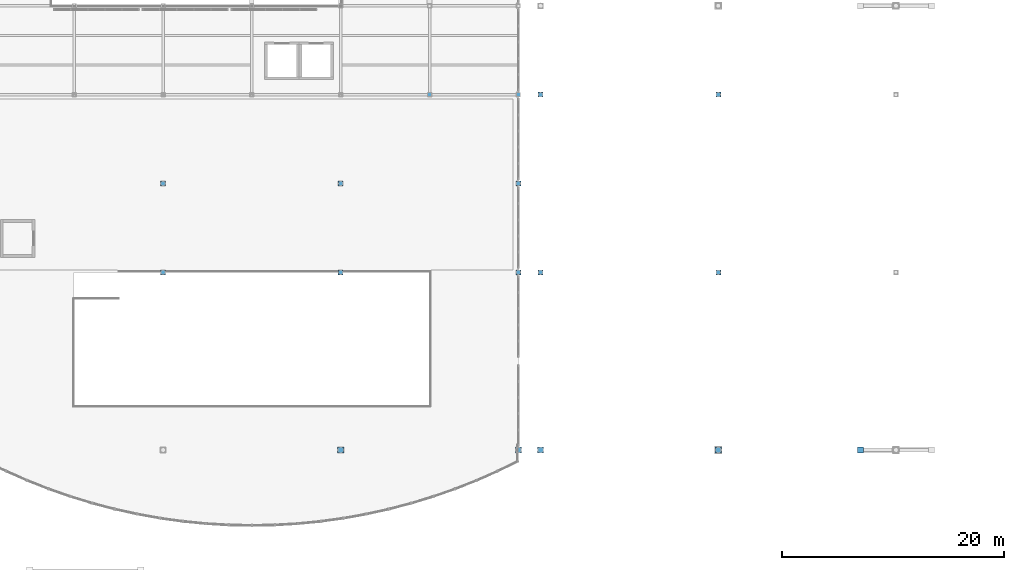
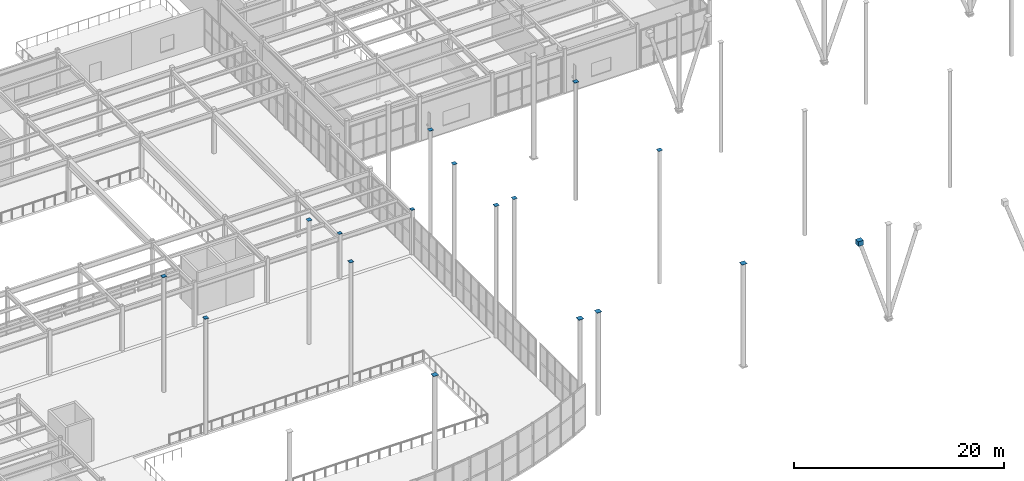
# One storey, part 63 of 77: 17 discrete accessories.
"""IFC4 building model written with IfcOpenShell, lengths in metres."""

from ifc_helpers import new_model, si_unit, direction, frame, origin, origin_2d, place, context, subcontext, project, spatial, rectangle, extrude, material, type_object, element, save


model = new_model("IFC4")

# Units and contexts
model_context = context("Model", 3, precision=1e-05, world=origin(), true_north=direction((0.0, 1.0)))
body_context = subcontext(model_context, "Body", "Model", "MODEL_VIEW")
ifc_project = project(units=[si_unit("LENGTHUNIT", "METRE"), si_unit("AREAUNIT", "SQUARE_METRE"), si_unit("VOLUMEUNIT", "CUBIC_METRE"), si_unit("PLANEANGLEUNIT", "RADIAN"), si_unit("MASSUNIT", "GRAM", prefix="KILO")], contexts=[model_context])

# Site, building, storey
site_placement = place(None, origin())
site = spatial("IfcSite", under=ifc_project, at=site_placement, CompositionType="ELEMENT")
building_placement = place(site_placement, origin())
building = spatial("IfcBuilding", under=site, at=building_placement, Name="Drelvath Fold Interchange", CompositionType="ELEMENT")
storey_placement = place(building_placement, frame((0.0, 0.0, 6.0)))
storey = spatial("IfcBuildingStorey", under=building, at=storey_placement, Name="L01", CompositionType="ELEMENT", Elevation=6.0)

# Discrete accessories
ifc_material = material(Name="Steel ASTM A572 Grade 50", Category="steel")
discrete_accessory_type = type_object("IfcDiscreteAccessoryType", Name="AC-CAP380", PredefinedType="BRACKET", material=ifc_material)
for number, where, z_axis, x_axis, name in (
    (1, (68.0, 43.0, 13.44189453125), (0.0, 0.0, 1.0), (1.0, 0.0, 0.0), "Welded hollow column end cap 18"),
    (2, (68.0, 51.0, 13.44189453125), (0.0, 0.0, 1.0), (1.0, 0.0, 0.0), "Welded hollow column end cap 19"),
):
    element("IfcDiscreteAccessory", number, at=place(storey_placement, frame(where, z_axis=z_axis, x_axis=x_axis)), inside=storey, type_object=discrete_accessory_type, Name=name, PredefinedType="BRACKET", context=body_context, shape_type="SweptSolid", body=[
        extrude(rectangle(XDim=0.446044921875, YDim=0.446044921875, at=origin_2d()), origin(), (0.0, 0.0, 1.0), 0.030029296875),
    ])
discrete_accessory_1_placement = place(storey_placement, frame((84.0, 27.0, 10.916015625), z_axis=(0.0, 0.0, 1.0), x_axis=(1.0, 0.0, 0.0)))
element("IfcDiscreteAccessory", 3, at=discrete_accessory_1_placement, inside=storey, type_object=discrete_accessory_type, Name="Welded hollow column end cap 20", PredefinedType="BRACKET", context=body_context, shape_type="SweptSolid", body=[
    extrude(rectangle(XDim=0.548095703125, YDim=0.548095703125, at=origin_2d()), origin(), (0.0, 0.0, 1.0), 0.030029296875),
])
for number, where, z_axis, x_axis, name in (
    (4, (84.0, 43.0, 14.40380859375), (0.0, 0.0, 1.0), (1.0, 0.0, 0.0), "Welded hollow column end cap 21"),
    (5, (84.0, 51.0, 14.40380859375), (0.0, 0.0, 1.0), (1.0, 0.0, 0.0), "Welded hollow column end cap 22"),
):
    element("IfcDiscreteAccessory", number, at=place(storey_placement, frame(where, z_axis=z_axis, x_axis=x_axis)), inside=storey, type_object=discrete_accessory_type, Name=name, PredefinedType="BRACKET", context=body_context, shape_type="SweptSolid", body=[
        extrude(rectangle(XDim=0.446044921875, YDim=0.446044921875, at=origin_2d()), origin(), (0.0, 0.0, 1.0), 0.030029296875),
    ])
discrete_accessory_2_placement = place(storey_placement, frame((92.0, 59.0, 5.18994140625), z_axis=(0.0, 0.0, 1.0), x_axis=(1.0, 0.0, 0.0)))
element("IfcDiscreteAccessory", 6, at=discrete_accessory_2_placement, inside=storey, type_object=discrete_accessory_type, Name="Welded hollow column end cap 23", PredefinedType="BRACKET", context=body_context, shape_type="SweptSolid", body=[
    extrude(rectangle(XDim=0.39599609375, YDim=0.39599609375, at=origin_2d()), origin(), (0.0, 0.0, 1.0), 0.030029296875),
])
discrete_accessory_3_placement = place(storey_placement, frame((100.0, 27.0, 11.87890625), z_axis=(0.0, 0.0, 1.0), x_axis=(1.0, 0.0, 0.0)))
element("IfcDiscreteAccessory", 7, at=discrete_accessory_3_placement, inside=storey, type_object=discrete_accessory_type, Name="Welded hollow column end cap 27", PredefinedType="BRACKET", context=body_context, shape_type="SweptSolid", body=[
    extrude(rectangle(XDim=0.548095703125, YDim=0.548095703125, at=origin_2d()), origin(), (0.0, 0.0, 1.0), 0.030029296875),
])
for number, where, z_axis, x_axis, name in (
    (8, (100.0, 43.0, 15.3671875), (0.0, 0.0, 1.0), (1.0, 0.0, 0.0), "Welded hollow column end cap 28"),
    (9, (100.0, 51.0, 15.3671875), (0.0, 0.0, 1.0), (1.0, 0.0, 0.0), "Welded hollow column end cap 29"),
):
    element("IfcDiscreteAccessory", number, at=place(storey_placement, frame(where, z_axis=z_axis, x_axis=x_axis)), inside=storey, type_object=discrete_accessory_type, Name=name, PredefinedType="BRACKET", context=body_context, shape_type="SweptSolid", body=[
        extrude(rectangle(XDim=0.446044921875, YDim=0.446044921875, at=origin_2d()), origin(), (0.0, 0.0, 1.0), 0.030029296875),
    ])
discrete_accessory_4_placement = place(storey_placement, frame((100.0, 59.0, 5.18994140625), z_axis=(0.0, 0.0, 1.0), x_axis=(1.0, 0.0, 0.0)))
element("IfcDiscreteAccessory", 10, at=discrete_accessory_4_placement, inside=storey, type_object=discrete_accessory_type, Name="Welded hollow column end cap 30", PredefinedType="BRACKET", context=body_context, shape_type="SweptSolid", body=[
    extrude(rectangle(XDim=0.39599609375, YDim=0.39599609375, at=origin_2d()), origin(), (0.0, 0.0, 1.0), 0.030029296875),
])
discrete_accessory_5_placement = place(storey_placement, frame((102.0, 27.0, 11.9990234375), z_axis=(0.0, 0.0, 1.0), x_axis=(1.0, 0.0, 0.0)))
element("IfcDiscreteAccessory", 11, at=discrete_accessory_5_placement, inside=storey, type_object=discrete_accessory_type, Name="Welded hollow column end cap 92", PredefinedType="BRACKET", context=body_context, shape_type="SweptSolid", body=[
    extrude(rectangle(XDim=0.548095703125, YDim=0.548095703125, at=origin_2d()), origin(), (0.0, 0.0, 1.0), 0.030029296875),
])
for number, where, z_axis, x_axis, name in (
    (12, (102.0, 43.0, 15.48681640625), (0.0, 0.0, 1.0), (1.0, 0.0, 0.0), "Welded hollow column end cap 93"),
    (13, (102.0, 59.0, 13.7431640625), (0.0, 0.0, 1.0), (1.0, 0.0, 0.0), "Welded hollow column end cap 94"),
):
    element("IfcDiscreteAccessory", number, at=place(storey_placement, frame(where, z_axis=z_axis, x_axis=x_axis)), inside=storey, type_object=discrete_accessory_type, Name=name, PredefinedType="BRACKET", context=body_context, shape_type="SweptSolid", body=[
        extrude(rectangle(XDim=0.446044921875, YDim=0.446044921875, at=origin_2d()), origin(), (0.0, 0.0, 1.0), 0.030029296875),
    ])
discrete_accessory_6_placement = place(storey_placement, frame((118.0, 27.0, 11.9990234375), z_axis=(0.0, 0.0, 1.0), x_axis=(1.0, 0.0, 0.0)))
element("IfcDiscreteAccessory", 14, at=discrete_accessory_6_placement, inside=storey, type_object=discrete_accessory_type, Name="Welded hollow column end cap 98", PredefinedType="BRACKET", context=body_context, shape_type="SweptSolid", body=[
    extrude(rectangle(XDim=0.548095703125, YDim=0.548095703125, at=origin_2d()), origin(), (0.0, 0.0, 1.0), 0.030029296875),
])
for number, where, z_axis, x_axis, name in (
    (15, (118.0, 43.0, 15.48681640625), (0.0, 0.0, 1.0), (1.0, 0.0, 0.0), "Welded hollow column end cap 99"),
    (16, (118.0, 59.0, 13.7431640625), (0.0, 0.0, 1.0), (1.0, 0.0, 0.0), "Welded hollow column end cap 100"),
):
    element("IfcDiscreteAccessory", number, at=place(storey_placement, frame(where, z_axis=z_axis, x_axis=x_axis)), inside=storey, type_object=discrete_accessory_type, Name=name, PredefinedType="BRACKET", context=body_context, shape_type="SweptSolid", body=[
        extrude(rectangle(XDim=0.446044921875, YDim=0.446044921875, at=origin_2d()), origin(), (0.0, 0.0, 1.0), 0.030029296875),
    ])
discrete_accessory_7_placement = place(storey_placement, frame((130.798095703125, 27.0, 9.698974609375), z_axis=(0.0, 0.0, 1.0), x_axis=(1.0, 0.0, 0.0)))
element("IfcDiscreteAccessory", 17, at=discrete_accessory_7_placement, inside=storey, type_object=discrete_accessory_type, Name="Welded hollow member end cap 567", PredefinedType="BRACKET", context=body_context, shape_type="SweptSolid", body=[
    extrude(rectangle(XDim=0.5458984375, YDim=0.5458984375, at=origin_2d()), origin(), (0.0, 0.0, 1.0), 0.5458984375),
])

save(model, "model.ifc")
